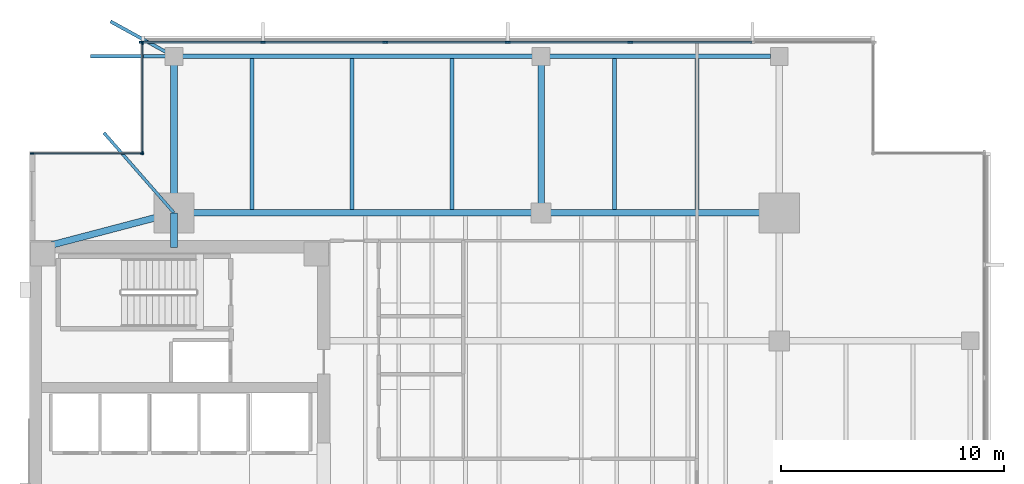
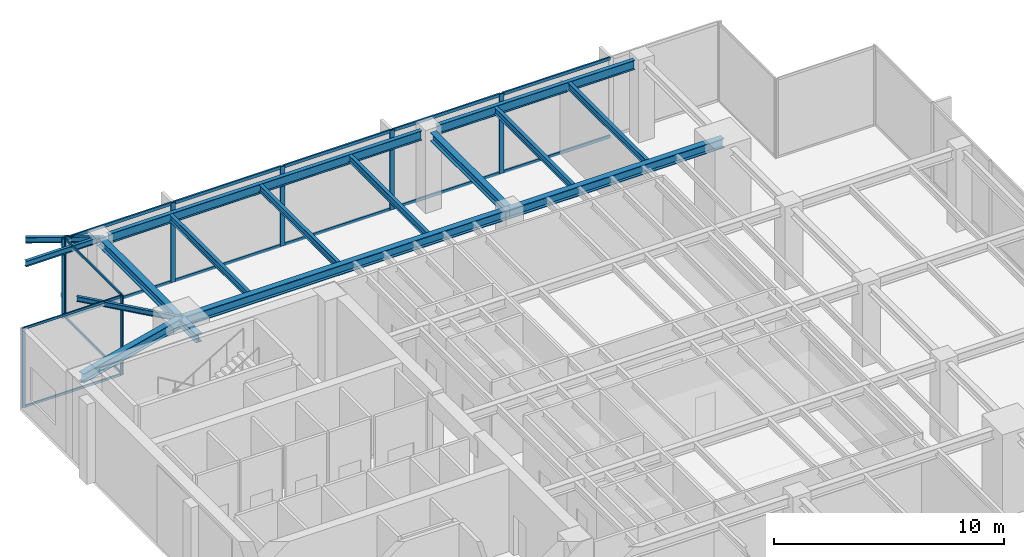
# One storey, part 5 of 14: 23 members, 16 beams, 3 elements without a shape of their own.
"""IFC4 building model written with IfcOpenShell, lengths in metres."""

from ifc_helpers import new_model, si_unit, direction, frame, origin, origin_2d, place, context, subcontext, project, spatial, rectangle, i_section, extrude, material, layer, layer_set, material_profile, profile_set, type_object, element, aggregate, save


model = new_model("IFC4")

# Units and contexts
model_context = context("Model", 3, precision=1e-05, world=origin(), true_north=direction((0.0, 1.0)))
body_context = subcontext(model_context, "Body", "Model", "MODEL_VIEW")
ifc_project = project(units=[si_unit("LENGTHUNIT", "METRE"), si_unit("AREAUNIT", "SQUARE_METRE"), si_unit("VOLUMEUNIT", "CUBIC_METRE"), si_unit("PLANEANGLEUNIT", "RADIAN"), si_unit("MASSUNIT", "GRAM", prefix="KILO")], contexts=[model_context])

# Site, building, storey
site_placement = place(None, origin())
site = spatial("IfcSite", under=ifc_project, at=site_placement, CompositionType="ELEMENT")
building_placement = place(site_placement, origin())
building = spatial("IfcBuilding", under=site, at=building_placement, Name="Kinhvarn Gate Tower", CompositionType="ELEMENT")
storey_placement = place(building_placement, frame((0.0, 0.0, 183.64990234375)))
storey = spatial("IfcBuildingStorey", under=building, at=storey_placement, Name="L48", CompositionType="ELEMENT", Elevation=183.64990234375)

# Curtain wall, members
ifc_material_1 = material(Name="Anodised aluminium AW-6063", Category="aluminium")
ifc_layer_1 = layer(ifc_material_1, 0.179931640625)
ifc_layer_set_1 = layer_set([ifc_layer_1], Name="Anodised aluminium AW-6063")
curtain_wall_type_1 = type_object("IfcCurtainWallType", Name="CW-SYS-4", PredefinedType="NOTDEFINED", material=ifc_layer_set_1)
curtain_wall_1_placement = place(storey_placement, origin())
curtain_wall_1 = element("IfcCurtainWall", 1, at=curtain_wall_1_placement, inside=storey, type_object=curtain_wall_type_1, Name="Curtain Wall CW4 (L48)", PredefinedType="NOTDEFINED")
ifc_material_profile_1 = material_profile(ifc_material_1, rectangle(XDim=0.06494140625, YDim=0.159912109375, at=origin_2d()), Name="ALU 65x160")
ifc_profile_set_1 = profile_set([ifc_material_profile_1], Name="Anodised aluminium AW-6063")
member_type_1 = type_object("IfcMemberType", Name="CW-MUL-160", PredefinedType="MULLION", material=ifc_profile_set_1)
member_1_placement = place(storey_placement, frame((9.590087890625, 45.37744140625, 0.0), z_axis=(0.0, 0.0, 1.0), x_axis=(1.0, 0.0, 0.0)))
member_1 = element("IfcMember", 2, at=member_1_placement, type_object=member_type_1, Name="CW4 mullion 1", PredefinedType="MULLION", context=body_context, shape_type="SweptSolid", body=[
    extrude(rectangle(XDim=0.06494140625, YDim=0.159912109375, at=origin_2d()), origin(), (0.0, 0.0, 1.0), 4.22021484375),
])
member_2_placement = place(storey_placement, frame((9.590087890625, 40.4423828125, 0.0), z_axis=(0.0, 0.0, 1.0), x_axis=(1.0, 0.0, 0.0)))
member_2 = element("IfcMember", 3, at=member_2_placement, type_object=member_type_1, Name="CW4 mullion 2", PredefinedType="MULLION", context=body_context, shape_type="SweptSolid", body=[
    extrude(rectangle(XDim=0.06494140625, YDim=0.159912109375, at=origin_2d()), origin(), (0.0, 0.0, 1.0), 4.22021484375),
])

curtain_wall_2_placement = place(storey_placement, origin())
curtain_wall_2 = element("IfcCurtainWall", 4, at=curtain_wall_2_placement, inside=storey, type_object=curtain_wall_type_1, Name="Curtain Wall CW4 (L48)", PredefinedType="NOTDEFINED")
member_3_placement = place(storey_placement, frame((9.5576171875, 40.409912109375, 0.0), z_axis=(0.0, 0.0, 1.0), x_axis=(0.0, -1.0, 0.0)))
member_3 = element("IfcMember", 5, at=member_3_placement, type_object=member_type_1, Name="CW4 mullion 1", PredefinedType="MULLION", context=body_context, shape_type="SweptSolid", body=[
    extrude(rectangle(XDim=0.06494140625, YDim=0.159912109375, at=origin_2d()), origin(), (0.0, 0.0, 1.0), 4.22021484375),
])
member_4_placement = place(storey_placement, frame((4.62255859375, 40.409912109375, 0.0), z_axis=(0.0, 0.0, 1.0), x_axis=(0.0, -1.0, 0.0)))
member_4 = element("IfcMember", 6, at=member_4_placement, type_object=member_type_1, Name="CW4 mullion 2", PredefinedType="MULLION", context=body_context, shape_type="SweptSolid", body=[
    extrude(rectangle(XDim=0.06494140625, YDim=0.159912109375, at=origin_2d()), origin(), (0.0, 0.0, 1.0), 4.22021484375),
])

ifc_layer_2 = layer(ifc_material_1, 0.219970703125)
ifc_layer_set_2 = layer_set([ifc_layer_2], Name="Anodised aluminium AW-6063")
curtain_wall_type_2 = type_object("IfcCurtainWallType", Name="CW-SYS-5", PredefinedType="NOTDEFINED", material=ifc_layer_set_2)
curtain_wall_3_placement = place(storey_placement, origin())
curtain_wall_3 = element("IfcCurtainWall", 7, at=curtain_wall_3_placement, inside=storey, type_object=curtain_wall_type_2, Name="Curtain Wall CW5 (L48)", PredefinedType="NOTDEFINED")
ifc_material_profile_2 = material_profile(ifc_material_1, rectangle(XDim=0.080078125, YDim=0.219970703125, at=origin_2d()), Name="ALU 80x220")
ifc_profile_set_2 = profile_set([ifc_material_profile_2], Name="Anodised aluminium AW-6063")
member_type_2 = type_object("IfcMemberType", Name="CW-MUL-220", PredefinedType="MULLION", material=ifc_profile_set_2)
member_5_placement = place(storey_placement, frame((31.5, 45.409912109375, 0.0), z_axis=(0.0, 0.0, 1.0), x_axis=(0.0, -1.0, 0.0)))
member_5 = element("IfcMember", 8, at=member_5_placement, type_object=member_type_2, Name="CW5 mullion 3", PredefinedType="MULLION", context=body_context, shape_type="SweptSolid", body=[
    extrude(rectangle(XDim=0.080078125, YDim=0.219970703125, at=origin_2d()), origin(), (0.0, 0.0, 1.0), 4.22021484375),
])
member_6_placement = place(storey_placement, frame((26.0, 45.409912109375, 0.0), z_axis=(0.0, 0.0, 1.0), x_axis=(0.0, -1.0, 0.0)))
member_6 = element("IfcMember", 9, at=member_6_placement, type_object=member_type_2, Name="CW5 mullion 4", PredefinedType="MULLION", context=body_context, shape_type="SweptSolid", body=[
    extrude(rectangle(XDim=0.080078125, YDim=0.219970703125, at=origin_2d()), origin(), (0.0, 0.0, 1.0), 4.22021484375),
])
member_7_placement = place(storey_placement, frame((20.5, 45.409912109375, 0.0), z_axis=(0.0, 0.0, 1.0), x_axis=(0.0, -1.0, 0.0)))
member_7 = element("IfcMember", 10, at=member_7_placement, type_object=member_type_2, Name="CW5 mullion 5", PredefinedType="MULLION", context=body_context, shape_type="SweptSolid", body=[
    extrude(rectangle(XDim=0.080078125, YDim=0.219970703125, at=origin_2d()), origin(), (0.0, 0.0, 1.0), 4.22021484375),
])
member_8_placement = place(storey_placement, frame((15.0, 45.409912109375, 0.0), z_axis=(0.0, 0.0, 1.0), x_axis=(0.0, -1.0, 0.0)))
member_8 = element("IfcMember", 11, at=member_8_placement, type_object=member_type_2, Name="CW5 mullion 6", PredefinedType="MULLION", context=body_context, shape_type="SweptSolid", body=[
    extrude(rectangle(XDim=0.080078125, YDim=0.219970703125, at=origin_2d()), origin(), (0.0, 0.0, 1.0), 4.22021484375),
])
member_9_placement = place(storey_placement, frame((9.5400390625, 45.409912109375, 0.0), z_axis=(0.0, 0.0, 1.0), x_axis=(0.0, -1.0, 0.0)))
member_9 = element("IfcMember", 12, at=member_9_placement, type_object=member_type_2, Name="CW5 mullion 7", PredefinedType="MULLION", context=body_context, shape_type="SweptSolid", body=[
    extrude(rectangle(XDim=0.080078125, YDim=0.219970703125, at=origin_2d()), origin(), (0.0, 0.0, 1.0), 4.22021484375),
])

# Member
ifc_material_profile_3 = material_profile(ifc_material_1, rectangle(XDim=0.06494140625, YDim=0.1201171875, at=origin_2d()), Name="ALU 65x120")
ifc_profile_set_3 = profile_set([ifc_material_profile_3], Name="Anodised aluminium AW-6063")
member_type_3 = type_object("IfcMemberType", Name="CW-TRN-120", PredefinedType="USERDEFINED", material=ifc_profile_set_3)
member_10_placement = place(storey_placement, frame((9.590087890625, 45.344970703125, 0.03271484375), z_axis=(0.0, -1.0, 0.0), x_axis=(1.0, 0.0, 0.0)))
member_10 = element("IfcMember", 13, at=member_10_placement, type_object=member_type_3, Name="CW4 transom 1.1", ObjectType="TRANSOM", PredefinedType="USERDEFINED", context=body_context, shape_type="SweptSolid", body=[
    extrude(rectangle(XDim=0.06494140625, YDim=0.1201171875, at=origin_2d()), origin(), (0.0, 0.0, 1.0), 4.869873046875),
])

member_11_placement = place(storey_placement, frame((9.590087890625, 45.344970703125, 4.1875), z_axis=(0.0, -1.0, 0.0), x_axis=(1.0, 0.0, 0.0)))
member_11 = element("IfcMember", 14, at=member_11_placement, type_object=member_type_3, Name="CW4 transom 1.2", ObjectType="TRANSOM", PredefinedType="USERDEFINED", context=body_context, shape_type="SweptSolid", body=[
    extrude(rectangle(XDim=0.06494140625, YDim=0.1201171875, at=origin_2d()), origin(), (0.0, 0.0, 1.0), 4.869873046875),
])

aggregate(curtain_wall_1, [member_1, member_2, member_10, member_11])

member_12_placement = place(storey_placement, frame((9.52490234375, 40.409912109375, 0.03271484375), z_axis=(-1.0, 0.0, 0.0), x_axis=(0.0, -1.0, 0.0)))
member_12 = element("IfcMember", 15, at=member_12_placement, type_object=member_type_3, Name="CW4 transom 1.1", ObjectType="TRANSOM", PredefinedType="USERDEFINED", context=body_context, shape_type="SweptSolid", body=[
    extrude(rectangle(XDim=0.06494140625, YDim=0.1201171875, at=origin_2d()), origin(), (0.0, 0.0, 1.0), 4.869873046875),
])

member_13_placement = place(storey_placement, frame((9.52490234375, 40.409912109375, 4.1875), z_axis=(-1.0, 0.0, 0.0), x_axis=(0.0, -1.0, 0.0)))
member_13 = element("IfcMember", 16, at=member_13_placement, type_object=member_type_3, Name="CW4 transom 1.2", ObjectType="TRANSOM", PredefinedType="USERDEFINED", context=body_context, shape_type="SweptSolid", body=[
    extrude(rectangle(XDim=0.06494140625, YDim=0.1201171875, at=origin_2d()), origin(), (0.0, 0.0, 1.0), 4.869873046875),
])

aggregate(curtain_wall_2, [member_3, member_4, member_12, member_13])

ifc_material_profile_4 = material_profile(ifc_material_1, rectangle(XDim=0.080078125, YDim=0.159912109375, at=origin_2d()), Name="ALU 80x160")
ifc_profile_set_4 = profile_set([ifc_material_profile_4], Name="Anodised aluminium AW-6063")
member_type_4 = type_object("IfcMemberType", Name="CW-TRN-160", PredefinedType="USERDEFINED", material=ifc_profile_set_4)
member_14_placement = place(storey_placement, frame((36.9599609375, 45.409912109375, 0.0400390625), z_axis=(-1.0, 0.0, 0.0), x_axis=(0.0, -1.0, 0.0)))
member_14 = element("IfcMember", 17, at=member_14_placement, type_object=member_type_4, Name="CW5 transom 2.1", ObjectType="TRANSOM", PredefinedType="USERDEFINED", context=body_context, shape_type="SweptSolid", body=[
    extrude(rectangle(XDim=0.080078125, YDim=0.159912109375, at=origin_2d()), origin(), (0.0, 0.0, 1.0), 5.419921875),
])

member_15_placement = place(storey_placement, frame((36.9599609375, 45.409912109375, 4.18017578125), z_axis=(-1.0, 0.0, 0.0), x_axis=(0.0, -1.0, 0.0)))
member_15 = element("IfcMember", 18, at=member_15_placement, type_object=member_type_4, Name="CW5 transom 2.2", ObjectType="TRANSOM", PredefinedType="USERDEFINED", context=body_context, shape_type="SweptSolid", body=[
    extrude(rectangle(XDim=0.080078125, YDim=0.159912109375, at=origin_2d()), origin(), (0.0, 0.0, 1.0), 5.419921875),
])

member_16_placement = place(storey_placement, frame((31.4599609375, 45.409912109375, 0.0400390625), z_axis=(-1.0, 0.0, 0.0), x_axis=(0.0, -1.0, 0.0)))
member_16 = element("IfcMember", 19, at=member_16_placement, type_object=member_type_4, Name="CW5 transom 3.1", ObjectType="TRANSOM", PredefinedType="USERDEFINED", context=body_context, shape_type="SweptSolid", body=[
    extrude(rectangle(XDim=0.080078125, YDim=0.159912109375, at=origin_2d()), origin(), (0.0, 0.0, 1.0), 5.419921875),
])

member_17_placement = place(storey_placement, frame((31.4599609375, 45.409912109375, 4.18017578125), z_axis=(-1.0, 0.0, 0.0), x_axis=(0.0, -1.0, 0.0)))
member_17 = element("IfcMember", 20, at=member_17_placement, type_object=member_type_4, Name="CW5 transom 3.2", ObjectType="TRANSOM", PredefinedType="USERDEFINED", context=body_context, shape_type="SweptSolid", body=[
    extrude(rectangle(XDim=0.080078125, YDim=0.159912109375, at=origin_2d()), origin(), (0.0, 0.0, 1.0), 5.419921875),
])

member_18_placement = place(storey_placement, frame((25.9599609375, 45.409912109375, 0.0400390625), z_axis=(-1.0, 0.0, 0.0), x_axis=(0.0, -1.0, 0.0)))
member_18 = element("IfcMember", 21, at=member_18_placement, type_object=member_type_4, Name="CW5 transom 4.1", ObjectType="TRANSOM", PredefinedType="USERDEFINED", context=body_context, shape_type="SweptSolid", body=[
    extrude(rectangle(XDim=0.080078125, YDim=0.159912109375, at=origin_2d()), origin(), (0.0, 0.0, 1.0), 5.419921875),
])

member_19_placement = place(storey_placement, frame((25.9599609375, 45.409912109375, 4.18017578125), z_axis=(-1.0, 0.0, 0.0), x_axis=(0.0, -1.0, 0.0)))
member_19 = element("IfcMember", 22, at=member_19_placement, type_object=member_type_4, Name="CW5 transom 4.2", ObjectType="TRANSOM", PredefinedType="USERDEFINED", context=body_context, shape_type="SweptSolid", body=[
    extrude(rectangle(XDim=0.080078125, YDim=0.159912109375, at=origin_2d()), origin(), (0.0, 0.0, 1.0), 5.419921875),
])

member_20_placement = place(storey_placement, frame((20.4599609375, 45.409912109375, 0.0400390625), z_axis=(-1.0, 0.0, 0.0), x_axis=(0.0, -1.0, 0.0)))
member_20 = element("IfcMember", 23, at=member_20_placement, type_object=member_type_4, Name="CW5 transom 5.1", ObjectType="TRANSOM", PredefinedType="USERDEFINED", context=body_context, shape_type="SweptSolid", body=[
    extrude(rectangle(XDim=0.080078125, YDim=0.159912109375, at=origin_2d()), origin(), (0.0, 0.0, 1.0), 5.419921875),
])

member_21_placement = place(storey_placement, frame((20.4599609375, 45.409912109375, 4.18017578125), z_axis=(-1.0, 0.0, 0.0), x_axis=(0.0, -1.0, 0.0)))
member_21 = element("IfcMember", 24, at=member_21_placement, type_object=member_type_4, Name="CW5 transom 5.2", ObjectType="TRANSOM", PredefinedType="USERDEFINED", context=body_context, shape_type="SweptSolid", body=[
    extrude(rectangle(XDim=0.080078125, YDim=0.159912109375, at=origin_2d()), origin(), (0.0, 0.0, 1.0), 5.419921875),
])

member_22_placement = place(storey_placement, frame((14.9599609375, 45.409912109375, 0.0400390625), z_axis=(-1.0, 0.0, 0.0), x_axis=(0.0, -1.0, 0.0)))
member_22 = element("IfcMember", 25, at=member_22_placement, type_object=member_type_4, Name="CW5 transom 6.1", ObjectType="TRANSOM", PredefinedType="USERDEFINED", context=body_context, shape_type="SweptSolid", body=[
    extrude(rectangle(XDim=0.080078125, YDim=0.159912109375, at=origin_2d()), origin(), (0.0, 0.0, 1.0), 5.3798828125),
])

member_23_placement = place(storey_placement, frame((14.9599609375, 45.409912109375, 4.18017578125), z_axis=(-1.0, 0.0, 0.0), x_axis=(0.0, -1.0, 0.0)))
member_23 = element("IfcMember", 26, at=member_23_placement, type_object=member_type_4, Name="CW5 transom 6.2", ObjectType="TRANSOM", PredefinedType="USERDEFINED", context=body_context, shape_type="SweptSolid", body=[
    extrude(rectangle(XDim=0.080078125, YDim=0.159912109375, at=origin_2d()), origin(), (0.0, 0.0, 1.0), 5.3798828125),
])

aggregate(curtain_wall_3, [member_5, member_6, member_7, member_8, member_9, member_14, member_15, member_16, member_17, member_18, member_19, member_20, member_21, member_22, member_23])

# Beams
ifc_material_2 = material(Name="Steel S355", Category="steel")
ifc_material_profile_5 = material_profile(ifc_material_2, i_section(OverallWidth=0.300048828125, OverallDepth=0.449951171875, WebThickness=0.013916015625, FlangeThickness=0.02587890625, at=origin_2d()), Name="HEB 450")
ifc_profile_set_5 = profile_set([ifc_material_profile_5], Name="Steel S355")
beam_type_1 = type_object("IfcBeamType", Name="STL-HEB450", PredefinedType="BEAM", material=ifc_profile_set_5)
beam_1_placement = place(storey_placement, frame((11.0, 36.199951171875, 3.9951171875), z_axis=(0.0, 1.0, 0.0), x_axis=(-1.0, 0.0, 0.0)))
element("IfcBeam", 27, at=beam_1_placement, inside=storey, type_object=beam_type_1, Name="Floor Beam PG-13 (L48 MCW-CN)", PredefinedType="BEAM", context=body_context, shape_type="SweptSolid", body=[
    extrude(i_section(OverallWidth=0.300048828125, OverallDepth=0.449951171875, WebThickness=0.013916015625, FlangeThickness=0.02587890625, at=origin_2d()), origin(), (0.0, 0.0, 1.0), 1.550048828125),
])
beam_2_placement = place(storey_placement, frame((11.0, 37.75, 3.9951171875), z_axis=(0.0, 1.0, 0.0), x_axis=(-1.0, 0.0, 0.0)))
element("IfcBeam", 28, at=beam_2_placement, inside=storey, type_object=beam_type_1, Name="Floor Beam PG-13 (L48 MCW-N)", PredefinedType="BEAM", context=body_context, shape_type="SweptSolid", body=[
    extrude(i_section(OverallWidth=0.300048828125, OverallDepth=0.449951171875, WebThickness=0.013916015625, FlangeThickness=0.02587890625, at=origin_2d()), origin(), (0.0, 0.0, 1.0), 7.030029296875),
])
beam_3_placement = place(storey_placement, frame((27.5, 37.75, 3.9951171875), z_axis=(0.0, 1.0, 0.0), x_axis=(-1.0, 0.0, 0.0)))
element("IfcBeam", 29, at=beam_3_placement, inside=storey, type_object=beam_type_1, Name="Floor Beam PG-13 (L48 SP27-N-TIE)", PredefinedType="BEAM", context=body_context, shape_type="SweptSolid", body=[
    extrude(i_section(OverallWidth=0.300048828125, OverallDepth=0.449951171875, WebThickness=0.013916015625, FlangeThickness=0.02587890625, at=origin_2d()), origin(), (0.0, 0.0, 1.0), 6.64501953125),
])
ifc_material_profile_6 = material_profile(ifc_material_2, i_section(OverallWidth=0.300048828125, OverallDepth=0.5, WebThickness=0.014404296875, FlangeThickness=0.028076171875, at=origin_2d()), Name="HEB 500")
ifc_profile_set_6 = profile_set([ifc_material_profile_6], Name="Steel S355")
beam_type_2 = type_object("IfcBeamType", Name="STL-HEB500", PredefinedType="BEAM", material=ifc_profile_set_6)
beam_4_placement = place(storey_placement, frame((11.0, 37.75, 3.97021484375), z_axis=(1.0, 0.0, 0.0), x_axis=(0.0, 1.0, 0.0)))
element("IfcBeam", 30, at=beam_4_placement, inside=storey, type_object=beam_type_2, Name="Floor Beam PG-14 (L48 MG-N1)", PredefinedType="BEAM", context=body_context, shape_type="SweptSolid", body=[
    extrude(i_section(OverallWidth=0.300048828125, OverallDepth=0.5, WebThickness=0.014404296875, FlangeThickness=0.028076171875, at=origin_2d()), origin(), (0.0, 0.0, 1.0), 16.5),
])
beam_5_placement = place(storey_placement, frame((27.5, 37.75, 3.97021484375), z_axis=(1.0, 0.0, 0.0), x_axis=(0.0, 1.0, 0.0)))
element("IfcBeam", 31, at=beam_5_placement, inside=storey, type_object=beam_type_2, Name="Floor Beam PG-14 (L48 MG-N2)", PredefinedType="BEAM", context=body_context, shape_type="SweptSolid", body=[
    extrude(i_section(OverallWidth=0.300048828125, OverallDepth=0.5, WebThickness=0.014404296875, FlangeThickness=0.028076171875, at=origin_2d()), origin(), (0.0, 0.0, 1.0), 10.699951171875),
])
beam_6_placement = place(storey_placement, frame((5.10009765625, 36.199951171875, 3.97021484375), z_axis=(0.967177623957, 0.254101246979, 0.0), x_axis=(-0.254101246979, 0.967177623957, 0.0)))
element("IfcBeam", 32, at=beam_6_placement, inside=storey, type_object=beam_type_2, Name="Floor Beam PG-14 (L48 MG-NW-DIAG)", PredefinedType="BEAM", context=body_context, shape_type="SweptSolid", body=[
    extrude(i_section(OverallWidth=0.300048828125, OverallDepth=0.5, WebThickness=0.014404296875, FlangeThickness=0.028076171875, at=origin_2d()), origin(), (0.0, 0.0, 1.0), 6.10009765625),
])
ifc_material_profile_7 = material_profile(ifc_material_2, i_section(OverallWidth=0.135009765625, OverallDepth=0.27001953125, WebThickness=0.006591796875, FlangeThickness=0.01025390625, at=origin_2d()), Name="IPE 270")
ifc_profile_set_7 = profile_set([ifc_material_profile_7], Name="Steel S355")
beam_type_3 = type_object("IfcBeamType", Name="STL-IPE270", PredefinedType="JOIST", material=ifc_profile_set_7)
beam_7_placement = place(storey_placement, frame((11.0, 37.75, 4.085205078125), z_axis=(-0.658482928045, 0.752595664001, 0.0), x_axis=(-0.752595664001, -0.658482928045, 0.0)))
element("IfcBeam", 33, at=beam_7_placement, inside=storey, type_object=beam_type_3, Name="Floor Joist SB-01 (L48 BAL-B3-L49)", PredefinedType="JOIST", context=body_context, shape_type="SweptSolid", body=[
    extrude(i_section(OverallWidth=0.135009765625, OverallDepth=0.27001953125, WebThickness=0.006591796875, FlangeThickness=0.01025390625, at=origin_2d()), origin(), (0.0, 0.0, 1.0), 4.78369140625),
])
ifc_material_profile_8 = material_profile(ifc_material_2, i_section(OverallWidth=0.14990234375, OverallDepth=0.300048828125, WebThickness=0.007080078125, FlangeThickness=0.0107421875, at=origin_2d()), Name="IPE 300")
ifc_profile_set_8 = profile_set([ifc_material_profile_8], Name="Steel S355")
beam_type_4 = type_object("IfcBeamType", Name="STL-IPE300", PredefinedType="JOIST", material=ifc_profile_set_8)
beam_8_placement = place(storey_placement, frame((11.0, 44.780029296875, 4.070068359375), z_axis=(-1.0, 0.0, 0.0), x_axis=(0.0, -1.0, 0.0)))
element("IfcBeam", 34, at=beam_8_placement, inside=storey, type_object=beam_type_4, Name="Floor Joist SB-02 (L48 BAL-B1-L49)", PredefinedType="JOIST", context=body_context, shape_type="SweptSolid", body=[
    extrude(i_section(OverallWidth=0.14990234375, OverallDepth=0.300048828125, WebThickness=0.007080078125, FlangeThickness=0.0107421875, at=origin_2d()), origin(), (0.0, 0.0, 1.0), 3.75),
])
beam_9_placement = place(storey_placement, frame((11.0, 44.780029296875, 4.070068359375), z_axis=(-0.875889381738, 0.482511959394, 0.0), x_axis=(-0.482511959394, -0.875889381738, 0.0)))
element("IfcBeam", 35, at=beam_9_placement, inside=storey, type_object=beam_type_4, Name="Floor Joist SB-02 (L48 BAL-B2-L49)", PredefinedType="JOIST", context=body_context, shape_type="SweptSolid", body=[
    extrude(i_section(OverallWidth=0.14990234375, OverallDepth=0.300048828125, WebThickness=0.007080078125, FlangeThickness=0.0107421875, at=origin_2d()), origin(), (0.0, 0.0, 1.0), 3.25390625),
])
ifc_material_profile_9 = material_profile(ifc_material_2, i_section(OverallWidth=0.169921875, OverallDepth=0.360107421875, WebThickness=0.008056640625, FlangeThickness=0.0126953125, at=origin_2d()), Name="IPE 360")
ifc_profile_set_9 = profile_set([ifc_material_profile_9], Name="Steel S355")
beam_type_5 = type_object("IfcBeamType", Name="STL-IPE360", PredefinedType="JOIST", material=ifc_profile_set_9)
for number, where, z_axis, x_axis, name in (
    (36, (14.5, 37.89990234375, 4.0400390625), (0.0, 1.0, 0.0), (-1.0, 0.0, 0.0), "Floor Joist SB-04 (L48 JN-X145)"),
    (37, (19.0, 37.89990234375, 4.0400390625), (0.0, 1.0, 0.0), (-1.0, 0.0, 0.0), "Floor Joist SB-04 (L48 JN-X190)"),
    (38, (23.5, 37.89990234375, 4.0400390625), (0.0, 1.0, 0.0), (-1.0, 0.0, 0.0), "Floor Joist SB-04 (L48 JN-X235)"),
    (39, (30.800048828125, 37.89990234375, 4.0400390625), (0.0, 1.0, 0.0), (-1.0, 0.0, 0.0), "Floor Joist SB-04 (L48 JN-X308)"),
    (40, (34.5, 37.89990234375, 4.0400390625), (0.0, 1.0, 0.0), (-1.0, 0.0, 0.0), "Floor Joist SB-04 (L48 JN-X345)"),
):
    element("IfcBeam", number, at=place(storey_placement, frame(where, z_axis=z_axis, x_axis=x_axis)), inside=storey, type_object=beam_type_5, Name=name, PredefinedType="JOIST", context=body_context, shape_type="SweptSolid", body=[
        extrude(i_section(OverallWidth=0.169921875, OverallDepth=0.360107421875, WebThickness=0.008056640625, FlangeThickness=0.0126953125, at=origin_2d()), origin(), (0.0, 0.0, 1.0), 6.780029296875),
    ])
ifc_material_profile_10 = material_profile(ifc_material_2, i_section(OverallWidth=0.199951171875, OverallDepth=0.5, WebThickness=0.01025390625, FlangeThickness=0.01611328125, at=origin_2d()), Name="IPE 500")
ifc_profile_set_10 = profile_set([ifc_material_profile_10], Name="Steel S355")
beam_type_6 = type_object("IfcBeamType", Name="STL-IPE500", PredefinedType="SPANDREL", material=ifc_profile_set_10)
beam_10_placement = place(storey_placement, frame((11.385009765625, 44.780029296875, 3.97021484375), z_axis=(1.0, 0.0, 0.0), x_axis=(0.0, 1.0, 0.0)))
element("IfcBeam", 41, at=beam_10_placement, inside=storey, type_object=beam_type_6, Name="Floor Spandrel SB-07 (L48 SP-N1)", PredefinedType="SPANDREL", context=body_context, shape_type="SweptSolid", body=[
    extrude(i_section(OverallWidth=0.199951171875, OverallDepth=0.5, WebThickness=0.01025390625, FlangeThickness=0.01611328125, at=origin_2d()), origin(), (0.0, 0.0, 1.0), 15.72998046875),
])
beam_11_placement = place(storey_placement, frame((27.885009765625, 44.780029296875, 3.97021484375), z_axis=(1.0, 0.0, 0.0), x_axis=(0.0, 1.0, 0.0)))
element("IfcBeam", 42, at=beam_11_placement, inside=storey, type_object=beam_type_6, Name="Floor Spandrel SB-07 (L48 SP-N2)", PredefinedType="SPANDREL", context=body_context, shape_type="SweptSolid", body=[
    extrude(i_section(OverallWidth=0.199951171875, OverallDepth=0.5, WebThickness=0.01025390625, FlangeThickness=0.01611328125, at=origin_2d()), origin(), (0.0, 0.0, 1.0), 9.929931640625),
])

save(model, "model.ifc")
